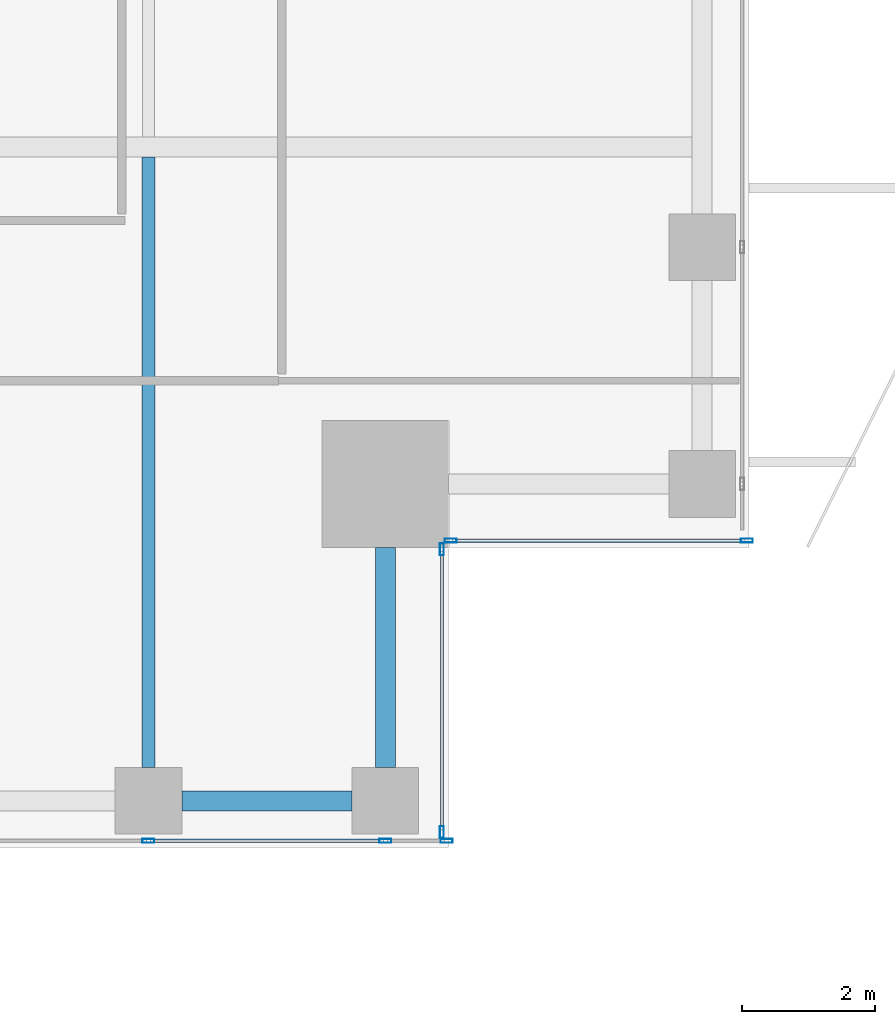
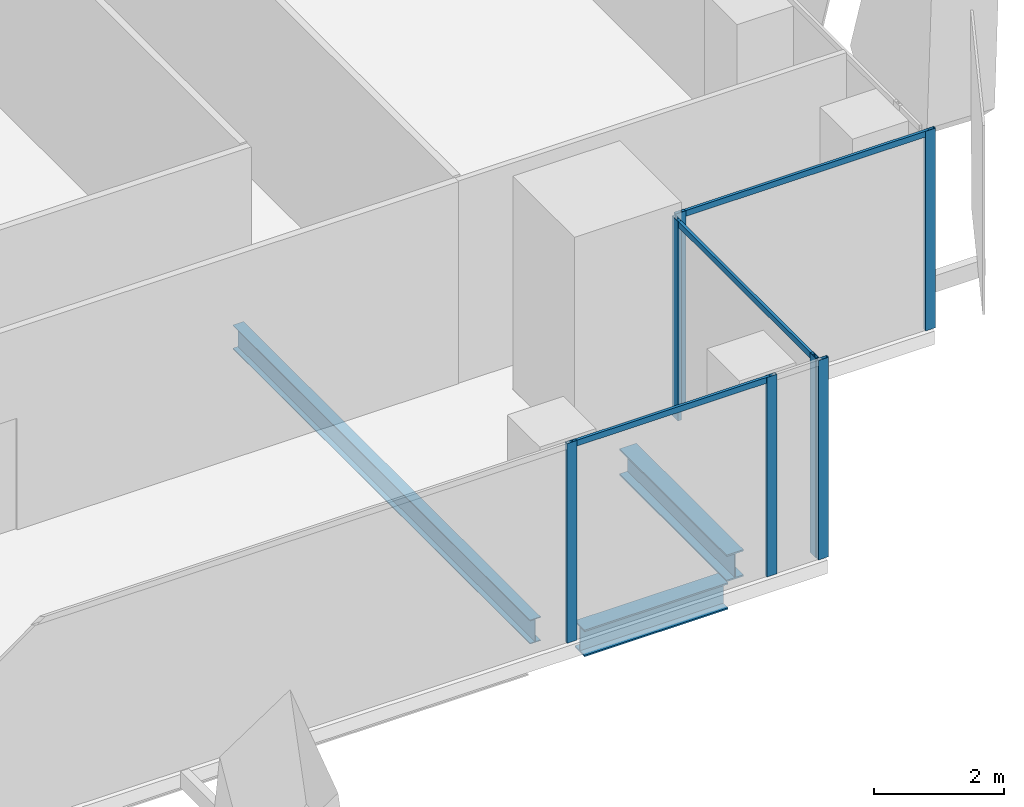
# One storey, part 10 of 38: 10 members, 3 beams, 3 elements without a shape of their own.
"""IFC4 building model written with IfcOpenShell, lengths in metres."""

from ifc_helpers import new_model, si_unit, direction, frame, origin, origin_2d, place, context, subcontext, project, spatial, hollow_rectangle, i_section, extrude, source, transform, mapped, material, material_profile, profile_set, type_object, element, aggregate, save


model = new_model("IFC4")

# Units and contexts
model_context = context("Model", 3, precision=1e-05, world=origin(), true_north=direction((0.0, 1.0)))
body_context = subcontext(model_context, "Body", "Model", "MODEL_VIEW")
ifc_project = project(units=[si_unit("LENGTHUNIT", "METRE"), si_unit("AREAUNIT", "SQUARE_METRE"), si_unit("VOLUMEUNIT", "CUBIC_METRE"), si_unit("PLANEANGLEUNIT", "RADIAN"), si_unit("MASSUNIT", "GRAM", prefix="KILO")], contexts=[model_context])

# Site, building, storey
site_placement = place(None, origin())
site = spatial("IfcSite", under=ifc_project, at=site_placement, CompositionType="ELEMENT")
building_placement = place(site_placement, origin())
building = spatial("IfcBuilding", under=site, at=building_placement, Name="Khomas Fold Tower", CompositionType="ELEMENT")
storey_placement = place(building_placement, frame((0.0, 0.0, 208.699951171875)))
storey = spatial("IfcBuildingStorey", under=building, at=storey_placement, Name="L46", CompositionType="ELEMENT", Elevation=208.699951171875)

# Beams
ifc_material_1 = material(Name="Steel S355", Category="steel")
ifc_material_profile_1 = material_profile(ifc_material_1, i_section(OverallWidth=0.300048828125, OverallDepth=0.5, WebThickness=0.014404296875, FlangeThickness=0.028076171875, at=origin_2d()), Name="HE 500 B")
ifc_profile_set_1 = profile_set([ifc_material_profile_1], Name="Steel S355")
beam_type_1 = type_object("IfcBeamType", Name="HE 500 B spandrel SB3", PredefinedType="SPANDREL", material=ifc_profile_set_1)
shared_shape_1 = source(origin(), body_context, "Body", "SweptSolid", [
    extrude(i_section(OverallWidth=0.300048828125, OverallDepth=0.5, WebThickness=0.014404296875, FlangeThickness=0.028076171875, at=origin_2d()), origin(), (0.0, 0.0, 1.0), 2.550048828125),
])
beam_1_placement = place(storey_placement, frame((42.5, 3.699951171875, -0.5), z_axis=(1.0, 0.0, 0.0), x_axis=(0.0, 1.0, 0.0)))
element("IfcBeam", 1, at=beam_1_placement, inside=storey, type_object=beam_type_1, Name="SB3", PredefinedType="SPANDREL", context=body_context, shape_type="MappedRepresentation", body=[
    mapped(shared_shape_1, transform((0.0, 0.0, 0.0))),
])
shared_shape_2 = source(origin(), body_context, "Body", "SweptSolid", [
    extrude(i_section(OverallWidth=0.300048828125, OverallDepth=0.5, WebThickness=0.014404296875, FlangeThickness=0.028076171875, at=origin_2d()), origin(), (0.0, 0.0, 1.0), 3.300048828125),
])
beam_2_placement = place(storey_placement, frame((45.550048828125, 4.199951171875, -0.5), z_axis=(0.0, 1.0, 0.0), x_axis=(-1.0, 0.0, 0.0)))
element("IfcBeam", 2, at=beam_2_placement, inside=storey, type_object=beam_type_1, Name="SB3", PredefinedType="SPANDREL", context=body_context, shape_type="MappedRepresentation", body=[
    mapped(shared_shape_2, transform((0.0, 0.0, 0.0))),
])
ifc_material_2 = material(Name="Steel S355", Category="steel")
ifc_material_profile_2 = material_profile(ifc_material_2, i_section(OverallWidth=0.18994140625, OverallDepth=0.449951171875, WebThickness=0.009521484375, FlangeThickness=0.0146484375, at=origin_2d()), Name="IPE 450")
ifc_profile_set_2 = profile_set([ifc_material_profile_2], Name="Steel S355")
beam_type_2 = type_object("IfcBeamType", Name="IPE 450 beam JB4", PredefinedType="BEAM", material=ifc_profile_set_2)
shared_shape_3 = source(origin(), body_context, "Body", "SweptSolid", [
    extrude(i_section(OverallWidth=0.18994140625, OverallDepth=0.449951171875, WebThickness=0.009521484375, FlangeThickness=0.0146484375, at=origin_2d()), origin(), (0.0, 0.0, 1.0), 9.150146484375),
])
beam_3_placement = place(storey_placement, frame((42.0, 4.199951171875, -0.474853515625), z_axis=(0.0, 1.0, 0.0), x_axis=(-1.0, 0.0, 0.0)))
element("IfcBeam", 3, at=beam_3_placement, inside=storey, type_object=beam_type_2, Name="JB4", PredefinedType="BEAM", context=body_context, shape_type="MappedRepresentation", body=[
    mapped(shared_shape_3, transform((0.0, 0.0, 0.0))),
])

# Curtain wall, members
ifc_material_3 = material(Name="Aluminium framed double glazing", Category="aluminium")
curtain_wall_type = type_object("IfcCurtainWallType", Name="SK-Unitised clear-glass wall, office floors CW2", PredefinedType="NOTDEFINED", material=ifc_material_3)
curtain_wall_1_placement = place(storey_placement, origin())
curtain_wall_1 = element("IfcCurtainWall", 4, at=curtain_wall_1_placement, inside=storey, type_object=curtain_wall_type, Name="CW2 run L46 00-0", PredefinedType="NOTDEFINED")
ifc_material_4 = material(Name="Aluminium", Category="aluminium")
ifc_material_profile_3 = material_profile(ifc_material_4, hollow_rectangle(XDim=0.06005859375, YDim=0.179931640625, WallThickness=0.00390625, at=origin_2d()), Name="SK-Unitised clear-glass wall, office floors mullion CW2-M")
ifc_profile_set_3 = profile_set([ifc_material_profile_3], Name="Aluminium")
member_type_1 = type_object("IfcMemberType", Name="SK-Unitised clear-glass wall, office floors mullion CW2-M", PredefinedType="MULLION", material=ifc_profile_set_3)
shared_shape_4 = source(origin(), body_context, "Body", "SweptSolid", [
    extrude(hollow_rectangle(XDim=0.06005859375, YDim=0.179931640625, WallThickness=0.00390625, at=origin_2d()), origin(), (0.0, 0.0, 1.0), 3.75),
])
member_1_placement = place(storey_placement, frame((42.0, 3.10009765625, 0.0), z_axis=(0.0, 0.0, 1.0), x_axis=(0.0, 1.0, 0.0)))
member_1 = element("IfcMember", 5, at=member_1_placement, type_object=member_type_1, Name="CW2 mullion 5", PredefinedType="MULLION", context=body_context, shape_type="MappedRepresentation", body=[
    mapped(shared_shape_4, transform((0.0, 0.0, 0.0))),
])
member_2_placement = place(storey_placement, frame((45.550048828125, 3.10009765625, 0.0), z_axis=(0.0, 0.0, 1.0), x_axis=(0.0, 1.0, 0.0)))
member_2 = element("IfcMember", 6, at=member_2_placement, type_object=member_type_1, Name="CW2 mullion 6", PredefinedType="MULLION", context=body_context, shape_type="MappedRepresentation", body=[
    mapped(shared_shape_4, transform((0.0, 0.0, 0.0))),
])
member_3_placement = place(storey_placement, frame((46.469970703125, 3.10009765625, 0.0), z_axis=(0.0, 0.0, 1.0), x_axis=(0.0, 1.0, 0.0)))
member_3 = element("IfcMember", 7, at=member_3_placement, type_object=member_type_1, Name="CW2 mullion 7", PredefinedType="MULLION", context=body_context, shape_type="MappedRepresentation", body=[
    mapped(shared_shape_4, transform((0.0, 0.0, 0.0))),
])

curtain_wall_2_placement = place(storey_placement, origin())
curtain_wall_2 = element("IfcCurtainWall", 8, at=curtain_wall_2_placement, inside=storey, type_object=curtain_wall_type, Name="CW2 corner return L46 01", PredefinedType="NOTDEFINED")
member_4_placement = place(storey_placement, frame((46.39990234375, 3.22998046875, 0.0), z_axis=(0.0, 0.0, 1.0), x_axis=(-1.0, 0.0, 0.0)))
member_4 = element("IfcMember", 9, at=member_4_placement, type_object=member_type_1, Name="CW2 mullion 1", PredefinedType="MULLION", context=body_context, shape_type="MappedRepresentation", body=[
    mapped(shared_shape_4, transform((0.0, 0.0, 0.0))),
])
member_5_placement = place(storey_placement, frame((46.39990234375, 7.469970703125, 0.0), z_axis=(0.0, 0.0, 1.0), x_axis=(-1.0, 0.0, 0.0)))
member_5 = element("IfcMember", 10, at=member_5_placement, type_object=member_type_1, Name="CW2 mullion 2", PredefinedType="MULLION", context=body_context, shape_type="MappedRepresentation", body=[
    mapped(shared_shape_4, transform((0.0, 0.0, 0.0))),
])

curtain_wall_3_placement = place(storey_placement, origin())
curtain_wall_3 = element("IfcCurtainWall", 11, at=curtain_wall_3_placement, inside=storey, type_object=curtain_wall_type, Name="CW2 corner return L46 02", PredefinedType="NOTDEFINED")
member_6_placement = place(storey_placement, frame((46.530029296875, 7.60009765625, 0.0), z_axis=(0.0, 0.0, 1.0), x_axis=(0.0, 1.0, 0.0)))
member_6 = element("IfcMember", 12, at=member_6_placement, type_object=member_type_1, Name="CW2 mullion 1", PredefinedType="MULLION", context=body_context, shape_type="MappedRepresentation", body=[
    mapped(shared_shape_4, transform((0.0, 0.0, 0.0))),
])
member_7_placement = place(storey_placement, frame((50.969970703125, 7.60009765625, 0.0), z_axis=(0.0, 0.0, 1.0), x_axis=(0.0, 1.0, 0.0)))
member_7 = element("IfcMember", 13, at=member_7_placement, type_object=member_type_1, Name="CW2 mullion 2", PredefinedType="MULLION", context=body_context, shape_type="MappedRepresentation", body=[
    mapped(shared_shape_4, transform((0.0, 0.0, 0.0))),
])
ifc_material_5 = material(Name="Aluminium", Category="aluminium")
ifc_material_profile_4 = material_profile(ifc_material_5, hollow_rectangle(XDim=0.050048828125, YDim=0.110107421875, WallThickness=0.00390625, at=origin_2d()), Name="SK-Unitised clear-glass wall, office floors transom CW2-T")
ifc_profile_set_4 = profile_set([ifc_material_profile_4], Name="Aluminium")
member_type_2 = type_object("IfcMemberType", Name="SK-Unitised clear-glass wall, office floors transom CW2-T", PredefinedType="USERDEFINED", material=ifc_profile_set_4)
shared_shape_5 = source(origin(), body_context, "Body", "SweptSolid", [
    extrude(hollow_rectangle(XDim=0.050048828125, YDim=0.110107421875, WallThickness=0.00390625, at=origin_2d()), origin(), (0.0, 0.0, 1.0), 4.3798828125),
])
member_8_placement = place(storey_placement, frame((46.56005859375, 7.60009765625, 3.695068359375), z_axis=(1.0, 0.0, 0.0), x_axis=(0.0, 1.0, 0.0)))
member_8 = element("IfcMember", 14, at=member_8_placement, type_object=member_type_2, Name="CW2 transom 1", ObjectType="TRANSOM", PredefinedType="USERDEFINED", context=body_context, shape_type="MappedRepresentation", body=[
    mapped(shared_shape_5, transform((0.0, 0.0, 0.0))),
])
aggregate(curtain_wall_3, [member_6, member_7, member_8])

# Member
shared_shape_6 = source(origin(), body_context, "Body", "SweptSolid", [
    extrude(hollow_rectangle(XDim=0.050048828125, YDim=0.110107421875, WallThickness=0.00390625, at=origin_2d()), origin(), (0.0, 0.0, 1.0), 3.489990234375),
])
member_9_placement = place(storey_placement, frame((42.030029296875, 3.10009765625, 3.695068359375), z_axis=(1.0, 0.0, 0.0), x_axis=(0.0, 1.0, 0.0)))
member_9 = element("IfcMember", 15, at=member_9_placement, type_object=member_type_2, Name="CW2 transom 5", ObjectType="TRANSOM", PredefinedType="USERDEFINED", context=body_context, shape_type="MappedRepresentation", body=[
    mapped(shared_shape_6, transform((0.0, 0.0, 0.0))),
])

aggregate(curtain_wall_1, [member_1, member_2, member_3, member_9])

shared_shape_7 = source(origin(), body_context, "Body", "SweptSolid", [
    extrude(hollow_rectangle(XDim=0.050048828125, YDim=0.110107421875, WallThickness=0.00390625, at=origin_2d()), origin(), (0.0, 0.0, 1.0), 4.179931640625),
])
member_10_placement = place(storey_placement, frame((46.39990234375, 3.260009765625, 3.695068359375), z_axis=(0.0, 1.0, 0.0), x_axis=(-1.0, 0.0, 0.0)))
member_10 = element("IfcMember", 16, at=member_10_placement, type_object=member_type_2, Name="CW2 transom 1", ObjectType="TRANSOM", PredefinedType="USERDEFINED", context=body_context, shape_type="MappedRepresentation", body=[
    mapped(shared_shape_7, transform((0.0, 0.0, 0.0))),
])

aggregate(curtain_wall_2, [member_4, member_5, member_10])

save(model, "model.ifc")
